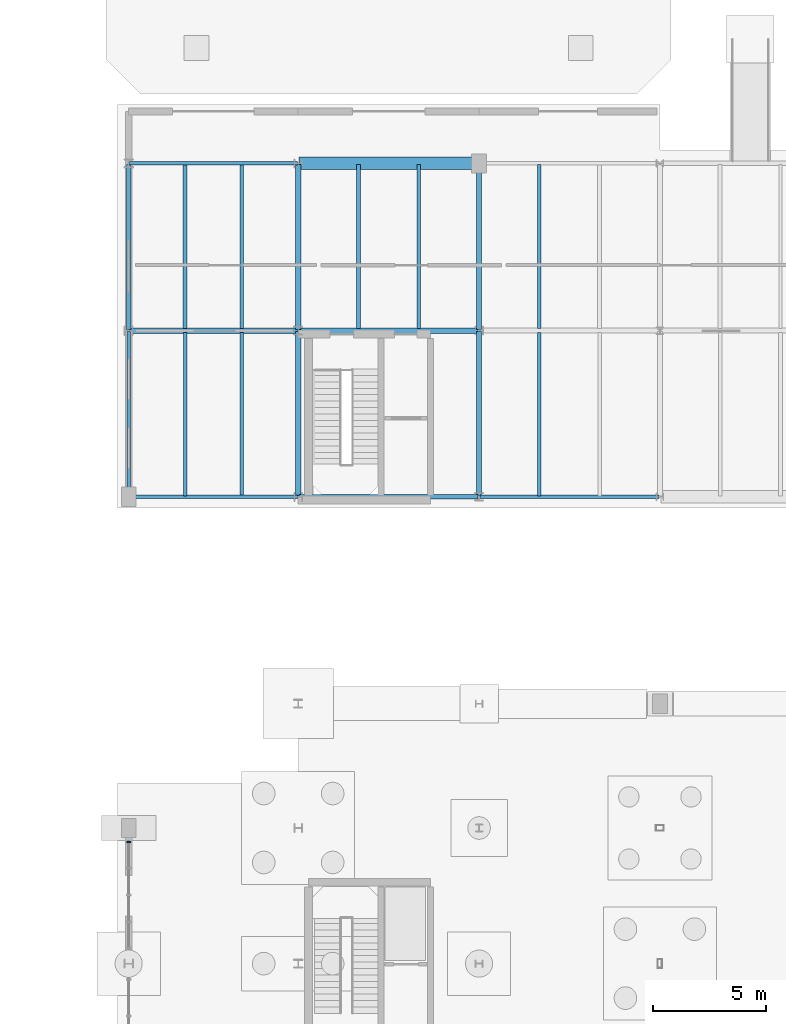
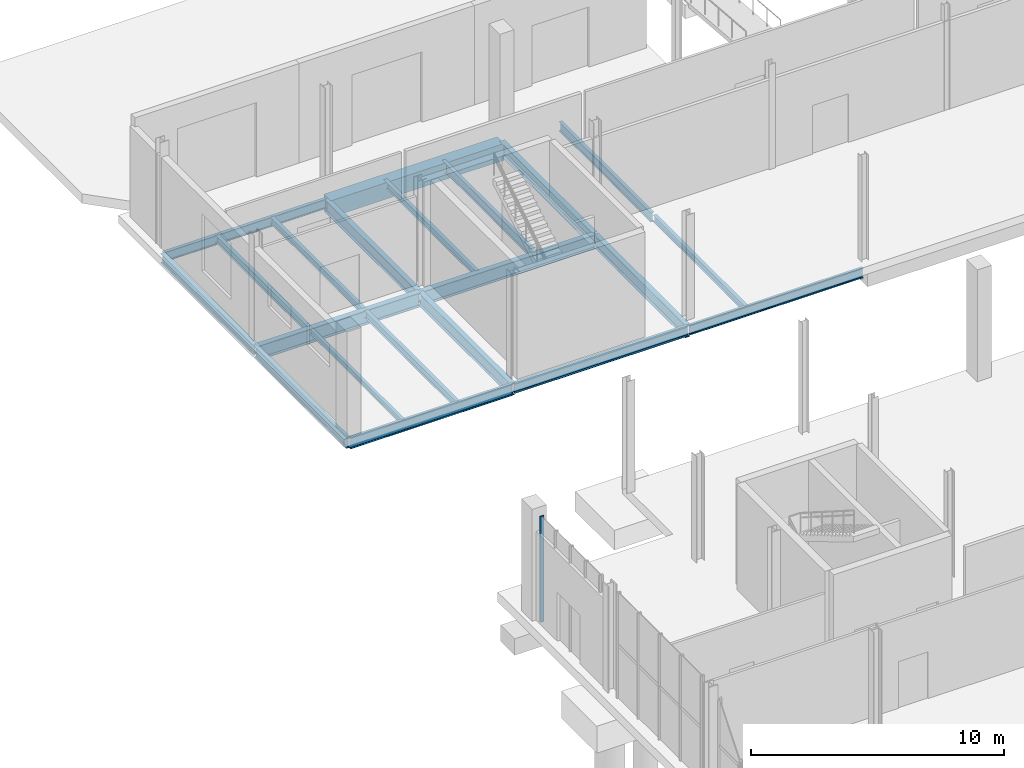
# One storey, part 44 of 87: 21 beams, 1 member, 1 element without a shape of its own.
"""IFC4 building model written with IfcOpenShell, lengths in metres."""

from ifc_helpers import new_model, si_unit, direction, frame, origin, origin_2d, place, context, subcontext, project, spatial, rectangle, i_section, extrude, material, material_profile, profile_set, type_object, element, aggregate, save


model = new_model("IFC4")

# Units and contexts
model_context = context("Model", 3, precision=1e-05, world=origin(), true_north=direction((0.0, 1.0)))
body_context = subcontext(model_context, "Body", "Model", "MODEL_VIEW")
ifc_project = project(units=[si_unit("LENGTHUNIT", "METRE"), si_unit("AREAUNIT", "SQUARE_METRE"), si_unit("VOLUMEUNIT", "CUBIC_METRE"), si_unit("PLANEANGLEUNIT", "RADIAN"), si_unit("MASSUNIT", "GRAM", prefix="KILO")], contexts=[model_context])

# Site, building, storey
site_placement = place(None, origin())
site = spatial("IfcSite", under=ifc_project, at=site_placement, CompositionType="ELEMENT")
building_placement = place(site_placement, origin())
building = spatial("IfcBuilding", under=site, at=building_placement, Name="Brisemont Oceanarium", CompositionType="ELEMENT")
storey_placement = place(building_placement, origin())
storey = spatial("IfcBuildingStorey", under=building, at=storey_placement, Name="L00", CompositionType="ELEMENT", Elevation=0.0)

# Beams
ifc_material_1 = material(Name="Concrete C40/50", Category="concrete")
ifc_material_profile_1 = material_profile(ifc_material_1, rectangle(XDim=0.550048828125, YDim=0.800048828125, at=origin_2d()), Name="RC-BM-550X800")
ifc_profile_set_1 = profile_set([ifc_material_profile_1], Name="Concrete C40/50")
beam_type_1 = type_object("IfcBeamType", Name="BM-RC550X800", PredefinedType="SPANDREL", material=ifc_profile_set_1)
beam_1_placement = place(storey_placement, frame((24.0400390625, 95.39990234375, -0.780029296875), z_axis=(1.0, 0.0, 0.0), x_axis=(0.0, 1.0, 0.0)))
element("IfcBeam", 1, at=beam_1_placement, inside=storey, type_object=beam_type_1, Name="V7W L00 EW girder", PredefinedType="SPANDREL", context=body_context, shape_type="SweptSolid", body=[
    extrude(rectangle(XDim=0.550048828125, YDim=0.800048828125, at=origin_2d()), origin(), (0.0, 0.0, 1.0), 7.919921875),
])
ifc_material_2 = material(Name="Structural Steel ASTM A992 Gr.50", Category="steel")
ifc_material_profile_2 = material_profile(ifc_material_2, i_section(OverallWidth=0.14599609375, OverallDepth=0.259033203125, WebThickness=0.006103515625, FlangeThickness=0.009033203125, FilletRadius=0.008056640625, at=origin_2d()), Name="W10X22")
ifc_profile_set_2 = profile_set([ifc_material_profile_2], Name="Structural Steel ASTM A992 Gr.50")
beam_type_2 = type_object("IfcBeamType", Name="BM-W10X22", PredefinedType="LINTEL", material=ifc_profile_set_2)
beam_2_placement = place(storey_placement, frame((19.0, 80.68994140625, -0.509521484375), z_axis=(0.0, 1.0, 0.0), x_axis=(-1.0, 0.0, 0.0)))
element("IfcBeam", 2, at=beam_2_placement, inside=storey, type_object=beam_type_2, Name="V7W L00 secondary floor beam", PredefinedType="LINTEL", context=body_context, shape_type="SweptSolid", body=[
    extrude(i_section(OverallWidth=0.14599609375, OverallDepth=0.259033203125, WebThickness=0.006103515625, FlangeThickness=0.009033203125, FilletRadius=0.008056640625, at=origin_2d()), origin(), (0.0, 0.0, 1.0), 7.219970703125),
])
ifc_material_3 = material(Name="Structural Steel ASTM A992 Gr.50", Category="steel")
ifc_material_profile_3 = material_profile(ifc_material_3, i_section(OverallWidth=0.1650390625, OverallDepth=0.31005859375, WebThickness=0.005859375, FlangeThickness=0.009765625, FilletRadius=0.008056640625, at=origin_2d()), Name="W12X26")
ifc_profile_set_3 = profile_set([ifc_material_profile_3], Name="Structural Steel ASTM A992 Gr.50")
beam_type_3 = type_object("IfcBeamType", Name="BM-W12X26", PredefinedType="JOIST", material=ifc_profile_set_3)
for number, where, z_axis, x_axis, name in (
    (3, (21.5, 88.090087890625, -0.534912109375), (0.0, 1.0, 0.0), (-1.0, 0.0, 0.0), "V7W L00 secondary floor beam"),
    (4, (26.666748046875, 88.090087890625, -0.534912109375), (0.0, 1.0, 0.0), (-1.0, 0.0, 0.0), "V7W L00 secondary floor beam"),
):
    element("IfcBeam", number, at=place(storey_placement, frame(where, z_axis=z_axis, x_axis=x_axis)), inside=storey, type_object=beam_type_3, Name=name, PredefinedType="JOIST", context=body_context, shape_type="SweptSolid", body=[
        extrude(i_section(OverallWidth=0.1650390625, OverallDepth=0.31005859375, WebThickness=0.005859375, FlangeThickness=0.009765625, FilletRadius=0.008056640625, at=origin_2d()), origin(), (0.0, 0.0, 1.0), 7.27001953125),
    ])
beam_3_placement = place(storey_placement, frame((34.666748046875, 80.68994140625, -0.534912109375), z_axis=(0.0, 1.0, 0.0), x_axis=(-1.0, 0.0, 0.0)))
element("IfcBeam", 5, at=beam_3_placement, inside=storey, type_object=beam_type_3, Name="V7W L00 secondary floor beam", PredefinedType="JOIST", context=body_context, shape_type="SweptSolid", body=[
    extrude(i_section(OverallWidth=0.1650390625, OverallDepth=0.31005859375, WebThickness=0.005859375, FlangeThickness=0.009765625, FilletRadius=0.008056640625, at=origin_2d()), origin(), (0.0, 0.0, 1.0), 7.219970703125),
])
ifc_material_4 = material(Name="Structural Steel ASTM A992 Gr.50", Category="steel")
ifc_material_profile_4 = material_profile(ifc_material_4, i_section(OverallWidth=0.1708984375, OverallDepth=0.35107421875, WebThickness=0.0068359375, FlangeThickness=0.009765625, FilletRadius=0.010009765625, at=origin_2d()), Name="W14X30")
ifc_profile_set_4 = profile_set([ifc_material_profile_4], Name="Structural Steel ASTM A992 Gr.50")
beam_type_4 = type_object("IfcBeamType", Name="BM-W14X30", PredefinedType="JOIST", material=ifc_profile_set_4)
beam_4_placement = place(storey_placement, frame((21.5, 80.68994140625, -0.555419921875), z_axis=(0.0, 1.0, 0.0), x_axis=(-1.0, 0.0, 0.0)))
element("IfcBeam", 6, at=beam_4_placement, inside=storey, type_object=beam_type_4, Name="V7W L00 secondary floor beam", PredefinedType="JOIST", context=body_context, shape_type="SweptSolid", body=[
    extrude(i_section(OverallWidth=0.1708984375, OverallDepth=0.35107421875, WebThickness=0.0068359375, FlangeThickness=0.009765625, FilletRadius=0.010009765625, at=origin_2d()), origin(), (0.0, 0.0, 1.0), 7.219970703125),
])
beam_5_placement = place(storey_placement, frame((19.0, 88.090087890625, -0.555419921875), z_axis=(0.0, 1.0, 0.0), x_axis=(-1.0, 0.0, 0.0)))
element("IfcBeam", 7, at=beam_5_placement, inside=storey, type_object=beam_type_4, Name="V7W L00 secondary floor beam", PredefinedType="JOIST", context=body_context, shape_type="SweptSolid", body=[
    extrude(i_section(OverallWidth=0.1708984375, OverallDepth=0.35107421875, WebThickness=0.0068359375, FlangeThickness=0.009765625, FilletRadius=0.010009765625, at=origin_2d()), origin(), (0.0, 0.0, 1.0), 7.27001953125),
])
ifc_material_5 = material(Name="Structural Steel ASTM A992 Gr.50", Category="steel")
ifc_material_profile_5 = material_profile(ifc_material_5, i_section(OverallWidth=0.153076171875, OverallDepth=0.455078125, WebThickness=0.008056640625, FlangeThickness=0.01318359375, FilletRadius=0.010986328125, at=origin_2d()), Name="W18X40")
ifc_profile_set_5 = profile_set([ifc_material_profile_5], Name="Structural Steel ASTM A992 Gr.50")
beam_type_5 = type_object("IfcBeamType", Name="BM-W18X40", PredefinedType="JOIST", material=ifc_profile_set_5)
for number, where, z_axis, x_axis, name in (
    (8, (29.333251953125, 88.090087890625, -0.607421875), (0.0, 1.0, 0.0), (-1.0, 0.0, 0.0), "V7W L00 secondary floor beam"),
    (9, (34.666748046875, 88.090087890625, -0.607421875), (0.0, 1.0, 0.0), (-1.0, 0.0, 0.0), "V7W L00 secondary floor beam"),
):
    element("IfcBeam", number, at=place(storey_placement, frame(where, z_axis=z_axis, x_axis=x_axis)), inside=storey, type_object=beam_type_5, Name=name, PredefinedType="JOIST", context=body_context, shape_type="SweptSolid", body=[
        extrude(i_section(OverallWidth=0.153076171875, OverallDepth=0.455078125, WebThickness=0.008056640625, FlangeThickness=0.01318359375, FilletRadius=0.010986328125, at=origin_2d()), origin(), (0.0, 0.0, 1.0), 7.27001953125),
    ])
ifc_material_6 = material(Name="Structural Steel ASTM A992 Gr.50", Category="steel")
ifc_material_profile_6 = material_profile(ifc_material_6, i_section(OverallWidth=0.154052734375, OverallDepth=0.458984375, WebThickness=0.009033203125, FlangeThickness=0.015380859375, FilletRadius=0.010986328125, at=origin_2d()), Name="W18X46")
ifc_profile_set_6 = profile_set([ifc_material_profile_6], Name="Structural Steel ASTM A992 Gr.50")
beam_type_6 = type_object("IfcBeamType", Name="BM-W18X46", PredefinedType="SPANDREL", material=ifc_profile_set_6)
beam_6_placement = place(storey_placement, frame((32.0400390625, 80.64990234375, -0.609619140625), z_axis=(1.0, 0.0, 0.0), x_axis=(0.0, 1.0, 0.0)))
element("IfcBeam", 10, at=beam_6_placement, inside=storey, type_object=beam_type_6, Name="V7W L00 EW girder", PredefinedType="SPANDREL", context=body_context, shape_type="SweptSolid", body=[
    extrude(i_section(OverallWidth=0.154052734375, OverallDepth=0.458984375, WebThickness=0.009033203125, FlangeThickness=0.015380859375, FilletRadius=0.010986328125, at=origin_2d()), origin(), (0.0, 0.0, 1.0), 7.919921875),
])
beam_7_placement = place(storey_placement, frame((16.5400390625, 95.39990234375, -0.609619140625), z_axis=(1.0, 0.0, 0.0), x_axis=(0.0, 1.0, 0.0)))
element("IfcBeam", 11, at=beam_7_placement, inside=storey, type_object=beam_type_6, Name="V7W L00 EW girder", PredefinedType="SPANDREL", context=body_context, shape_type="SweptSolid", body=[
    extrude(i_section(OverallWidth=0.154052734375, OverallDepth=0.458984375, WebThickness=0.009033203125, FlangeThickness=0.015380859375, FilletRadius=0.010986328125, at=origin_2d()), origin(), (0.0, 0.0, 1.0), 7.419921875),
])
ifc_material_7 = material(Name="Structural Steel ASTM A992 Gr.50", Category="steel")
ifc_material_profile_7 = material_profile(ifc_material_7, i_section(OverallWidth=0.19091796875, OverallDepth=0.4599609375, WebThickness=0.010009765625, FlangeThickness=0.01611328125, FilletRadius=0.010986328125, at=origin_2d()), Name="W18X55")
ifc_profile_set_7 = profile_set([ifc_material_profile_7], Name="Structural Steel ASTM A992 Gr.50")
beam_type_7 = type_object("IfcBeamType", Name="BM-W18X55", PredefinedType="SPANDREL", material=ifc_profile_set_7)
beam_8_placement = place(storey_placement, frame((24.0400390625, 80.64990234375, -0.610107421875), z_axis=(1.0, 0.0, 0.0), x_axis=(0.0, 1.0, 0.0)))
element("IfcBeam", 12, at=beam_8_placement, inside=storey, type_object=beam_type_7, Name="V7W L00 EW girder", PredefinedType="SPANDREL", context=body_context, shape_type="SweptSolid", body=[
    extrude(i_section(OverallWidth=0.19091796875, OverallDepth=0.4599609375, WebThickness=0.010009765625, FlangeThickness=0.01611328125, FilletRadius=0.010986328125, at=origin_2d()), origin(), (0.0, 0.0, 1.0), 7.919921875),
])
beam_9_placement = place(storey_placement, frame((16.5, 88.0400390625, -0.610107421875), z_axis=(0.0, 1.0, 0.0), x_axis=(-1.0, 0.0, 0.0)))
element("IfcBeam", 13, at=beam_9_placement, inside=storey, type_object=beam_type_7, Name="V7W L00 NS girder", PredefinedType="SPANDREL", context=body_context, shape_type="SweptSolid", body=[
    extrude(i_section(OverallWidth=0.19091796875, OverallDepth=0.4599609375, WebThickness=0.010009765625, FlangeThickness=0.01611328125, FilletRadius=0.010986328125, at=origin_2d()), origin(), (0.0, 0.0, 1.0), 7.320068359375),
])
ifc_material_8 = material(Name="Structural Steel ASTM A992 Gr.50", Category="steel")
ifc_material_profile_8 = material_profile(ifc_material_8, i_section(OverallWidth=0.166015625, OverallDepth=0.528076171875, WebThickness=0.009765625, FlangeThickness=0.013671875, FilletRadius=0.012939453125, at=origin_2d()), Name="W21X50")
ifc_profile_set_8 = profile_set([ifc_material_profile_8], Name="Structural Steel ASTM A992 Gr.50")
beam_type_8 = type_object("IfcBeamType", Name="BM-W21X50", PredefinedType="SPANDREL", material=ifc_profile_set_8)
beam_10_placement = place(storey_placement, frame((16.5400390625, 80.64990234375, -0.64404296875), z_axis=(1.0, 0.0, 0.0), x_axis=(0.0, 1.0, 0.0)))
element("IfcBeam", 14, at=beam_10_placement, inside=storey, type_object=beam_type_8, Name="V7W L00 EW girder", PredefinedType="SPANDREL", context=body_context, shape_type="SweptSolid", body=[
    extrude(i_section(OverallWidth=0.166015625, OverallDepth=0.528076171875, WebThickness=0.009765625, FlangeThickness=0.013671875, FilletRadius=0.012939453125, at=origin_2d()), origin(), (0.0, 0.0, 1.0), 7.419921875),
])
beam_11_placement = place(storey_placement, frame((16.5, 80.68994140625, -0.64404296875), z_axis=(0.0, 1.0, 0.0), x_axis=(-1.0, 0.0, 0.0)))
element("IfcBeam", 15, at=beam_11_placement, inside=storey, type_object=beam_type_8, Name="V7W L00 NS girder", PredefinedType="SPANDREL", context=body_context, shape_type="SweptSolid", body=[
    extrude(i_section(OverallWidth=0.166015625, OverallDepth=0.528076171875, WebThickness=0.009765625, FlangeThickness=0.013671875, FilletRadius=0.012939453125, at=origin_2d()), origin(), (0.0, 0.0, 1.0), 7.27001953125),
])
ifc_material_9 = material(Name="Structural Steel ASTM A992 Gr.50", Category="steel")
ifc_material_profile_9 = material_profile(ifc_material_9, i_section(OverallWidth=0.22802734375, OverallDepth=0.60205078125, WebThickness=0.010498046875, FlangeThickness=0.014892578125, FilletRadius=0.012939453125, at=origin_2d()), Name="W24X68")
ifc_profile_set_9 = profile_set([ifc_material_profile_9], Name="Structural Steel ASTM A992 Gr.50")
beam_type_9 = type_object("IfcBeamType", Name="BM-W24X68", PredefinedType="BEAM", material=ifc_profile_set_9)
beam_12_placement = place(storey_placement, frame((32.0, 88.0400390625, -0.680908203125), z_axis=(0.0, 1.0, 0.0), x_axis=(-1.0, 0.0, 0.0)))
element("IfcBeam", 16, at=beam_12_placement, inside=storey, type_object=beam_type_9, Name="V7W L00 NS girder", PredefinedType="BEAM", context=body_context, shape_type="SweptSolid", body=[
    extrude(i_section(OverallWidth=0.22802734375, OverallDepth=0.60205078125, WebThickness=0.010498046875, FlangeThickness=0.014892578125, FilletRadius=0.012939453125, at=origin_2d()), origin(), (0.0, 0.0, 1.0), 7.320068359375),
])
ifc_material_10 = material(Name="Structural Steel ASTM A992 Gr.50", Category="steel")
ifc_material_profile_10 = material_profile(ifc_material_10, i_section(OverallWidth=0.22802734375, OverallDepth=0.60791015625, WebThickness=0.01123046875, FlangeThickness=0.017333984375, FilletRadius=0.012939453125, at=origin_2d()), Name="W24X76")
ifc_profile_set_10 = profile_set([ifc_material_profile_10], Name="Structural Steel ASTM A992 Gr.50")
beam_type_10 = type_object("IfcBeamType", Name="BM-W24X76", PredefinedType="BEAM", material=ifc_profile_set_10)
beam_13_placement = place(storey_placement, frame((24.0, 88.0400390625, -0.68408203125), z_axis=(0.0, 1.0, 0.0), x_axis=(-1.0, 0.0, 0.0)))
element("IfcBeam", 17, at=beam_13_placement, inside=storey, type_object=beam_type_10, Name="V7W L00 NS girder", PredefinedType="BEAM", context=body_context, shape_type="SweptSolid", body=[
    extrude(i_section(OverallWidth=0.22802734375, OverallDepth=0.60791015625, WebThickness=0.01123046875, FlangeThickness=0.017333984375, FilletRadius=0.012939453125, at=origin_2d()), origin(), (0.0, 0.0, 1.0), 7.320068359375),
])
beam_14_placement = place(storey_placement, frame((32.0, 80.68994140625, -0.68408203125), z_axis=(0.0, 1.0, 0.0), x_axis=(-1.0, 0.0, 0.0)))
element("IfcBeam", 18, at=beam_14_placement, inside=storey, type_object=beam_type_10, Name="V7W L00 NS girder", PredefinedType="BEAM", context=body_context, shape_type="SweptSolid", body=[
    extrude(i_section(OverallWidth=0.22802734375, OverallDepth=0.60791015625, WebThickness=0.01123046875, FlangeThickness=0.017333984375, FilletRadius=0.012939453125, at=origin_2d()), origin(), (0.0, 0.0, 1.0), 7.27001953125),
])
ifc_material_11 = material(Name="Structural Steel ASTM A992 Gr.50", Category="steel")
ifc_material_profile_11 = material_profile(ifc_material_11, i_section(OverallWidth=0.22900390625, OverallDepth=0.612060546875, WebThickness=0.011962890625, FlangeThickness=0.01953125, FilletRadius=0.012939453125, at=origin_2d()), Name="W24X84")
ifc_profile_set_11 = profile_set([ifc_material_profile_11], Name="Structural Steel ASTM A992 Gr.50")
beam_type_11 = type_object("IfcBeamType", Name="BM-W24X84", PredefinedType="BEAM", material=ifc_profile_set_11)
beam_15_placement = place(storey_placement, frame((24.0, 80.68994140625, -0.68603515625), z_axis=(0.0, 1.0, 0.0), x_axis=(-1.0, 0.0, 0.0)))
element("IfcBeam", 19, at=beam_15_placement, inside=storey, type_object=beam_type_11, Name="V7W L00 NS girder", PredefinedType="BEAM", context=body_context, shape_type="SweptSolid", body=[
    extrude(i_section(OverallWidth=0.22900390625, OverallDepth=0.612060546875, WebThickness=0.011962890625, FlangeThickness=0.01953125, FilletRadius=0.012939453125, at=origin_2d()), origin(), (0.0, 0.0, 1.0), 7.27001953125),
])
ifc_material_12 = material(Name="Structural Steel ASTM A992 Gr.50", Category="steel")
ifc_material_profile_12 = material_profile(ifc_material_12, i_section(OverallWidth=0.2529296875, OverallDepth=0.677978515625, WebThickness=0.01171875, FlangeThickness=0.016357421875, FilletRadius=0.014892578125, at=origin_2d()), Name="W27X84")
ifc_profile_set_12 = profile_set([ifc_material_profile_12], Name="Structural Steel ASTM A992 Gr.50")
beam_type_12 = type_object("IfcBeamType", Name="BM-W27X84", PredefinedType="BEAM", material=ifc_profile_set_12)
beam_16_placement = place(storey_placement, frame((24.0400390625, 88.0, -0.718994140625), z_axis=(1.0, 0.0, 0.0), x_axis=(0.0, 1.0, 0.0)))
element("IfcBeam", 20, at=beam_16_placement, inside=storey, type_object=beam_type_12, Name="V7W L00 EW girder", PredefinedType="BEAM", context=body_context, shape_type="SweptSolid", body=[
    extrude(i_section(OverallWidth=0.2529296875, OverallDepth=0.677978515625, WebThickness=0.01171875, FlangeThickness=0.016357421875, FilletRadius=0.014892578125, at=origin_2d()), origin(), (0.0, 0.0, 1.0), 7.919921875),
])
ifc_material_13 = material(Name="Structural Steel ASTM A992 Gr.50", Category="steel")
ifc_material_profile_13 = material_profile(ifc_material_13, i_section(OverallWidth=0.25390625, OverallDepth=0.68310546875, WebThickness=0.012451171875, FlangeThickness=0.018798828125, FilletRadius=0.014892578125, at=origin_2d()), Name="W27X94")
ifc_profile_set_13 = profile_set([ifc_material_profile_13], Name="Structural Steel ASTM A992 Gr.50")
beam_type_13 = type_object("IfcBeamType", Name="BM-W27X94", PredefinedType="BEAM", material=ifc_profile_set_13)
beam_17_placement = place(storey_placement, frame((16.5400390625, 88.0, -0.721435546875), z_axis=(1.0, 0.0, 0.0), x_axis=(0.0, 1.0, 0.0)))
element("IfcBeam", 21, at=beam_17_placement, inside=storey, type_object=beam_type_13, Name="V7W L00 EW girder", PredefinedType="BEAM", context=body_context, shape_type="SweptSolid", body=[
    extrude(i_section(OverallWidth=0.25390625, OverallDepth=0.68310546875, WebThickness=0.012451171875, FlangeThickness=0.018798828125, FilletRadius=0.014892578125, at=origin_2d()), origin(), (0.0, 0.0, 1.0), 7.419921875),
])

# Curtain wall, member
ifc_material_14 = material(Name="Anodized Extruded Aluminum 6063-T6", Category="aluminium")
curtain_wall_type = type_object("IfcCurtainWallType", Name="CW-GAL-69X43", PredefinedType="NOTDEFINED", material=ifc_material_14)
curtain_wall_placement = place(storey_placement, origin())
curtain_wall = element("IfcCurtainWall", 22, at=curtain_wall_placement, inside=storey, type_object=curtain_wall_type, Name="CW-12 curtain wall CW-V5W-W-L00-04", PredefinedType="NOTDEFINED")
ifc_material_15 = material(Name="Anodized Extruded Aluminum 6063-T6", Category="aluminium")
ifc_material_profile_14 = material_profile(ifc_material_15, rectangle(XDim=0.06494140625, YDim=0.179931640625, at=origin_2d()), Name="CWM-65X180")
ifc_profile_set_14 = profile_set([ifc_material_profile_14], Name="Anodized Extruded Aluminum 6063-T6")
member_type = type_object("IfcMemberType", Name="MEM-CWM-65", PredefinedType="MULLION", material=ifc_profile_set_14)
member_placement = place(storey_placement, frame((16.5, 65.375, 0.0), z_axis=(0.0, 0.0, 1.0), x_axis=(0.0, 1.0, 0.0)))
member = element("IfcMember", 23, at=member_placement, type_object=member_type, Name="CW-V5W-W-L00-04 mullion 5", PredefinedType="MULLION", context=body_context, shape_type="SweptSolid", body=[
    extrude(rectangle(XDim=0.06494140625, YDim=0.179931640625, at=origin_2d()), origin(), (0.0, 0.0, 1.0), 5.10009765625),
])
aggregate(curtain_wall, [member])

save(model, "model.ifc")
